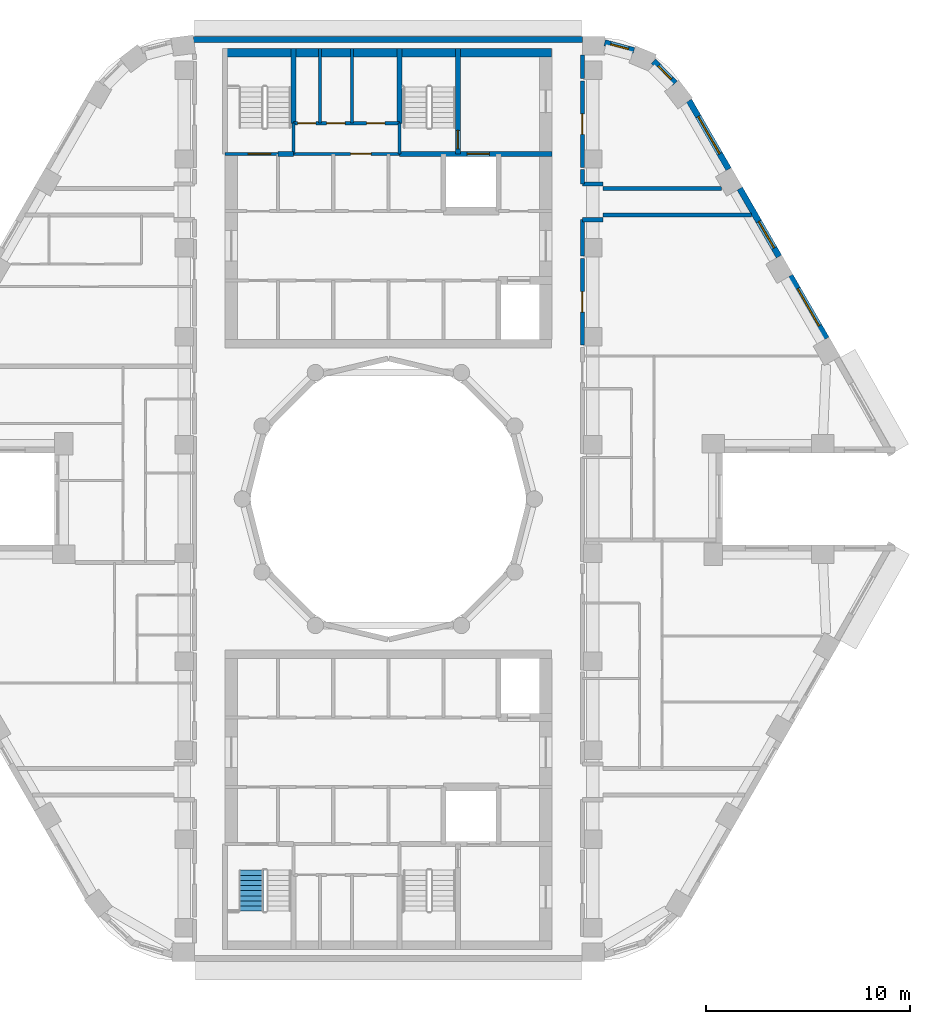
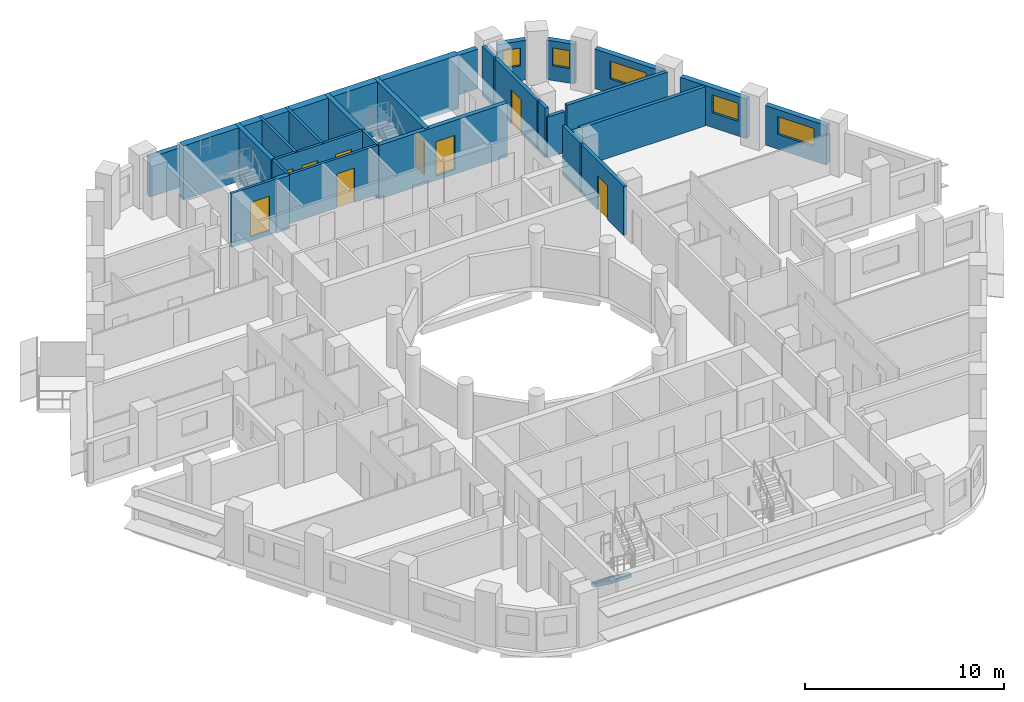
# One storey, part 8 of 13: 28 walls, 9 doors, 5 windows, 1 stair flight, 14 openings, 1 element without a shape of its own.
"""IFC4 building model written with IfcOpenShell, lengths in metres."""

from ifc_helpers import new_model, si_unit, direction, frame, frame_2d, origin, place, context, subcontext, project, spatial, polyline, rectangle, outline, extrude, material, layer, layer_set, type_object, element, fill, aggregate, save


model = new_model("IFC4")

# Units and contexts
model_context = context("Model", 3, precision=1e-05, world=origin(), true_north=direction((0.0, 1.0)))
body_context = subcontext(model_context, "Body", "Model", "MODEL_VIEW")
ifc_project = project(units=[si_unit("LENGTHUNIT", "METRE"), si_unit("AREAUNIT", "SQUARE_METRE"), si_unit("VOLUMEUNIT", "CUBIC_METRE"), si_unit("PLANEANGLEUNIT", "RADIAN"), si_unit("MASSUNIT", "GRAM", prefix="KILO")], contexts=[model_context])

# Site, building, storey
site_placement = place(None, origin())
site = spatial("IfcSite", under=ifc_project, at=site_placement, CompositionType="ELEMENT")
building_placement = place(site_placement, origin())
building = spatial("IfcBuilding", under=site, at=building_placement, Name="Nakaniwa Court", CompositionType="ELEMENT")
storey_placement = place(building_placement, frame((0.0, 0.0, 242.699951171875)))
storey = spatial("IfcBuildingStorey", under=building, at=storey_placement, Name="L63", CompositionType="ELEMENT", Elevation=242.699951171875)

# Wall, opening, door
ifc_material_1 = material(Name="Acoustic double stud partition")
ifc_layer_1 = layer(ifc_material_1, 0.199951171875)
ifc_layer_set_1 = layer_set([ifc_layer_1], Name="Acoustic double stud partition")
wall_type_1 = type_object("IfcWallType", Name="Acoustic double stud partition 200", PredefinedType="PARTITIONING", material=ifc_layer_set_1)
wall_1_placement = place(storey_placement, frame((89.5, 91.77294921875, 0.0), z_axis=(0.0, 0.0, 1.0), x_axis=(0.0, -1.0, 0.0)))
wall_1 = element("IfcWall", 1, at=wall_1_placement, inside=storey, type_object=wall_type_1, Name="Partition PW-068", PredefinedType="PARTITIONING", context=body_context, shape_type="SweptSolid", body=[
    extrude(rectangle(XDim=4.23583984375, YDim=0.199951171875, at=frame_2d((2.117919921875, 0.0))), origin(), (0.0, 0.0, 1.0), 3.025146484375),
])
opening_1_placement = place(wall_1_placement, frame((1.617919921875, 0.0, 0.0)))
opening_1 = element("IfcOpeningElement", 2, at=opening_1_placement, cuts=wall_1, Name="Opening D-02-02", PredefinedType="OPENING", context=body_context, shape_type="SweptSolid", body=[
    extrude(rectangle(XDim=1.0, YDim=2.10009765625, at=frame_2d((0.5, 1.050048828125))), frame((0.0, 0.10986328125, 0.0), z_axis=(0.0, -1.0, 0.0), x_axis=(1.0, 0.0, 0.0)), (0.0, 0.0, 1.0), 0.219970703125),
])
ifc_material_2 = material(Name="Solid core timber door set, black veneer", Category="wood")
door_type_1 = type_object("IfcDoorType", Name="Internal door 1000", OperationType="NOTDEFINED", PredefinedType="DOOR", material=ifc_material_2)
door_1_placement = place(opening_1_placement, origin())
door_1 = element("IfcDoor", 3, at=door_1_placement, inside=storey, type_object=door_type_1, Name="Door D-02-02 L63-044", OperationType="SINGLE_SWING_LEFT", OverallHeight=2.10009765625, OverallWidth=1.0, PredefinedType="DOOR", context=body_context, shape_type="SweptSolid", body=[
    extrude(rectangle(XDim=1.0, YDim=2.10009765625, at=frame_2d((0.5, 1.050048828125))), frame((0.0, 0.02490234375, 0.0), z_axis=(0.0, -1.0, 0.0), x_axis=(1.0, 0.0, 0.0)), (0.0, 0.0, 1.0), 0.050048828125),
])
fill(opening_1, door_1)

# Walls
wall_2_placement = place(storey_placement, frame((89.5, 91.886962890625, 0.0), z_axis=(0.0, 0.0, 1.0), x_axis=(0.0, 1.0, 0.0)))
element("IfcWall", 4, at=wall_2_placement, inside=storey, type_object=wall_type_1, Name="Partition PW-069", PredefinedType="PARTITIONING", context=body_context, shape_type="SweptSolid", body=[
    extrude(rectangle(XDim=1.791015625, YDim=0.199951171875, at=frame_2d((0.8955078125, 0.0))), origin(), (0.0, 0.0, 1.0), 3.025146484375),
])
wall_3_placement = place(storey_placement, frame((89.5, 95.422119140625, 0.0), z_axis=(0.0, 0.0, 1.0), x_axis=(0.0, 1.0, 0.0)))
element("IfcWall", 5, at=wall_3_placement, inside=storey, type_object=wall_type_1, Name="Partition PW-070", PredefinedType="PARTITIONING", context=body_context, shape_type="SweptSolid", body=[
    extrude(rectangle(XDim=0.700927734375, YDim=0.199951171875, at=frame_2d((0.3505859375, 0.0))), origin(), (0.0, 0.0, 1.0), 3.025146484375),
])

# Wall, opening, door
wall_4_placement = place(storey_placement, frame((89.5, 100.472900390625, 0.0), z_axis=(0.0, 0.0, 1.0), x_axis=(0.0, -1.0, 0.0)))
wall_4 = element("IfcWall", 6, at=wall_4_placement, inside=storey, type_object=wall_type_1, Name="Partition PW-071", PredefinedType="PARTITIONING", context=body_context, shape_type="SweptSolid", body=[
    extrude(rectangle(XDim=4.23583984375, YDim=0.199951171875, at=frame_2d((2.117919921875, 0.0))), origin(), (0.0, 0.0, 1.0), 3.025146484375),
])
opening_2_placement = place(wall_4_placement, frame((1.617919921875, 0.0, 0.0)))
opening_2 = element("IfcOpeningElement", 7, at=opening_2_placement, cuts=wall_4, Name="Opening D-02-03", PredefinedType="OPENING", context=body_context, shape_type="SweptSolid", body=[
    extrude(rectangle(XDim=1.0, YDim=2.10009765625, at=frame_2d((0.5, 1.050048828125))), frame((0.0, 0.10986328125, 0.0), z_axis=(0.0, -1.0, 0.0), x_axis=(1.0, 0.0, 0.0)), (0.0, 0.0, 1.0), 0.219970703125),
])
door_2_placement = place(opening_2_placement, origin())
door_2 = element("IfcDoor", 8, at=door_2_placement, inside=storey, type_object=door_type_1, Name="Door D-02-03 L63-059", OperationType="SINGLE_SWING_RIGHT", OverallHeight=2.10009765625, OverallWidth=1.0, PredefinedType="DOOR", context=body_context, shape_type="SweptSolid", body=[
    extrude(rectangle(XDim=1.0, YDim=2.10009765625, at=frame_2d((0.5, 1.050048828125))), frame((0.0, 0.02490234375, 0.0), z_axis=(0.0, -1.0, 0.0), x_axis=(1.0, 0.0, 0.0)), (0.0, 0.0, 1.0), 0.050048828125),
])
fill(opening_2, door_2)

# Walls
wall_5_placement = place(storey_placement, frame((89.5, 100.5869140625, 0.0), z_axis=(0.0, 0.0, 1.0), x_axis=(0.0, 1.0, 0.0)))
element("IfcWall", 9, at=wall_5_placement, inside=storey, type_object=wall_type_1, Name="Partition PW-072", PredefinedType="PARTITIONING", context=body_context, shape_type="SweptSolid", body=[
    extrude(rectangle(XDim=1.14599609375, YDim=0.199951171875, at=frame_2d((0.572998046875, 0.0))), origin(), (0.0, 0.0, 1.0), 3.025146484375),
])
wall_6_placement = place(storey_placement, frame((90.5, 93.89990234375, 0.0), z_axis=(0.0, 0.0, 1.0), x_axis=(1.0, 0.0, 0.0)))
element("IfcWall", 10, at=wall_6_placement, inside=storey, type_object=wall_type_1, Name="Partition PW-074", PredefinedType="PARTITIONING", context=body_context, shape_type="SweptSolid", body=[
    extrude(rectangle(XDim=7.282470703125, YDim=0.199951171875, at=frame_2d((3.64111328125, 0.0))), origin(), (0.0, 0.0, 1.0), 2.405029296875),
])
for number, where, z_axis, x_axis, name in (
    (11, (89.5, 93.675048828125, 0.0), (0.0, 0.0, 1.0), (1.0, 0.0, 0.0), "Partition PW-076"),
    (12, (89.5, 95.425048828125, 0.0), (0.0, 0.0, 1.0), (1.0, 0.0, 0.0), "Partition PW-078"),
):
    element("IfcWall", number, at=place(storey_placement, frame(where, z_axis=z_axis, x_axis=x_axis)), inside=storey, type_object=wall_type_1, Name=name, PredefinedType="PARTITIONING", context=body_context, shape_type="SweptSolid", body=[
        extrude(rectangle(XDim=1.0, YDim=0.199951171875, at=frame_2d((0.5, 0.0))), origin(), (0.0, 0.0, 1.0), 2.505126953125),
    ])
wall_7_placement = place(storey_placement, frame((90.5, 95.199951171875, 0.0), z_axis=(0.0, 0.0, 1.0), x_axis=(1.0, 0.0, 0.0)))
element("IfcWall", 13, at=wall_7_placement, inside=storey, type_object=wall_type_1, Name="Partition PW-080", PredefinedType="PARTITIONING", context=body_context, shape_type="SweptSolid", body=[
    extrude(rectangle(XDim=5.81884765625, YDim=0.199951171875, at=frame_2d((2.909423828125, 0.0))), origin(), (0.0, 0.0, 1.0), 3.025146484375),
])

# Wall, opening, window
ifc_material_3 = material(Name="Charcoal ceramic cladding")
ifc_layer_2 = layer(ifc_material_3, 0.02, Name="Ceramic cladding")
ifc_material_4 = material(Name="Ventilated air cavity")
ifc_layer_3 = layer(ifc_material_4, 0.04, ventilated=True, Name="Ventilated cavity")
ifc_material_5 = material(Name="Mineral wool insulation")
ifc_layer_4 = layer(ifc_material_5, 0.1, Name="Insulation")
ifc_material_6 = material(Name="Cement bonded sheathing board")
ifc_layer_5 = layer(ifc_material_6, 0.012, Name="Sheathing")
ifc_material_7 = material(Name="Cold-formed galvanised stud frame with mineral wool infill")
ifc_layer_6 = layer(ifc_material_7, 0.1, Name="Stud frame")
ifc_material_8 = material(Name="Fire-rated gypsum plasterboard lining")
ifc_layer_7 = layer(ifc_material_8, 0.028, Name="Lining")
ifc_layer_set_2 = layer_set([ifc_layer_2, ifc_layer_3, ifc_layer_4, ifc_layer_5, ifc_layer_6, ifc_layer_7], Name="Charcoal ceramic faced external wall system")
wall_type_2 = type_object("IfcWallType", Name="Black ceramic faced external wall 300", PredefinedType="SOLIDWALL", material=ifc_layer_set_2)
wall_8_placement = place(storey_placement, frame((101.44580078125, 87.85498046875, 0.0), z_axis=(0.0, 0.0, 1.0), x_axis=(-0.500010404316, 0.866019396766, 0.0)))
wall_8 = element("IfcWall", 14, at=wall_8_placement, inside=storey, type_object=wall_type_2, Name="L63 external wall 03", PredefinedType="SOLIDWALL", context=body_context, shape_type="SweptSolid", body=[
    extrude(rectangle(XDim=3.54736328125, YDim=0.300048828125, at=frame_2d((1.773681640625, 0.0))), origin(), (0.0, 0.0, 1.0), 2.425048828125),
])
opening_3_placement = place(wall_8_placement, frame((0.723388671875, 0.0, 0.89990234375)))
opening_3 = element("IfcOpeningElement", 15, at=opening_3_placement, cuts=wall_8, Name="Opening W7.04", PredefinedType="OPENING", context=body_context, shape_type="SweptSolid", body=[
    extrude(rectangle(XDim=2.10009765625, YDim=1.10009765625, at=frame_2d((1.050048828125, 0.550048828125))), frame((0.0, 0.159912109375, 0.0), z_axis=(0.0, -1.0, 0.0), x_axis=(1.0, 0.0, 0.0)), (0.0, 0.0, 1.0), 0.320068359375),
])
ifc_material_9 = material(Name="Black anodised aluminium frame with dark low-E laminated double glazing", Category="aluminium")
window_type_1 = type_object("IfcWindowType", Name="Dark glass window 2100x1100 sill 900", PartitioningType="SINGLE_PANEL", PredefinedType="WINDOW", material=ifc_material_9)
window_1_placement = place(opening_3_placement, origin())
window_1 = element("IfcWindow", 16, at=window_1_placement, inside=storey, type_object=window_type_1, Name="L63 habitable room window 03-0", OverallHeight=1.10009765625, OverallWidth=2.10009765625, PartitioningType="SINGLE_PANEL", PredefinedType="WINDOW", context=body_context, shape_type="SweptSolid", body=[
    extrude(rectangle(XDim=2.10009765625, YDim=1.10009765625, at=frame_2d((1.050048828125, 0.550048828125))), frame((0.0, 0.030029296875, 0.0), z_axis=(0.0, -1.0, 0.0), x_axis=(1.0, 0.0, 0.0)), (0.0, 0.0, 1.0), 0.06005859375),
])
fill(opening_3, window_1)

wall_9_placement = place(storey_placement, frame((99.126220703125, 91.87255859375, 0.0), z_axis=(0.0, 0.0, 1.0), x_axis=(-0.499984490703, 0.866034357896, 0.0)))
wall_9 = element("IfcWall", 17, at=wall_9_placement, inside=storey, type_object=wall_type_2, Name="L63 external wall 04", PredefinedType="SOLIDWALL", context=body_context, shape_type="SweptSolid", body=[
    extrude(rectangle(XDim=3.84423828125, YDim=0.300048828125, at=frame_2d((1.922119140625, 0.0))), origin(), (0.0, 0.0, 1.0), 2.425048828125),
])
opening_4_placement = place(wall_9_placement, frame((0.481689453125, 0.0, 0.89990234375)))
opening_4 = element("IfcOpeningElement", 18, at=opening_4_placement, cuts=wall_9, Name="Opening W5.05", PredefinedType="OPENING", context=body_context, shape_type="SweptSolid", body=[
    extrude(rectangle(XDim=1.5, YDim=1.10009765625, at=frame_2d((0.75, 0.550048828125))), frame((0.0, 0.159912109375, 0.0), z_axis=(0.0, -1.0, 0.0), x_axis=(1.0, 0.0, 0.0)), (0.0, 0.0, 1.0), 0.320068359375),
])
window_type_2 = type_object("IfcWindowType", Name="Dark glass window 1500x1100 sill 900", PartitioningType="SINGLE_PANEL", PredefinedType="WINDOW", material=ifc_material_9)
window_2_placement = place(opening_4_placement, origin())
window_2 = element("IfcWindow", 19, at=window_2_placement, inside=storey, type_object=window_type_2, Name="L63 habitable room window 04-0", OverallHeight=1.10009765625, OverallWidth=1.5, PartitioningType="SINGLE_PANEL", PredefinedType="WINDOW", context=body_context, shape_type="SweptSolid", body=[
    extrude(rectangle(XDim=1.5, YDim=1.10009765625, at=frame_2d((0.75, 0.550048828125))), frame((0.0, 0.030029296875, 0.0), z_axis=(0.0, -1.0, 0.0), x_axis=(1.0, 0.0, 0.0)), (0.0, 0.0, 1.0), 0.06005859375),
])
fill(opening_4, window_2)

wall_10_placement = place(storey_placement, frame((96.657958984375, 96.1474609375, 0.0), z_axis=(0.0, 0.0, 1.0), x_axis=(-0.500011218404, 0.866018926739, 0.0)))
wall_10 = element("IfcWall", 20, at=wall_10_placement, inside=storey, type_object=wall_type_2, Name="L63 external wall 05", PredefinedType="SOLIDWALL", context=body_context, shape_type="SweptSolid", body=[
    extrude(rectangle(XDim=3.87890625, YDim=0.300048828125, at=frame_2d((1.939453125, 0.0))), origin(), (0.0, 0.0, 1.0), 2.425048828125),
])
opening_5_placement = place(wall_10_placement, frame((0.878173828125, 0.0, 0.89990234375)))
opening_5 = element("IfcOpeningElement", 21, at=opening_5_placement, cuts=wall_10, Name="Opening W7.06", PredefinedType="OPENING", context=body_context, shape_type="SweptSolid", body=[
    extrude(rectangle(XDim=2.10009765625, YDim=1.10009765625, at=frame_2d((1.050048828125, 0.550048828125))), frame((0.0, 0.159912109375, 0.0), z_axis=(0.0, -1.0, 0.0), x_axis=(1.0, 0.0, 0.0)), (0.0, 0.0, 1.0), 0.320068359375),
])
window_3_placement = place(opening_5_placement, origin())
window_3 = element("IfcWindow", 22, at=window_3_placement, inside=storey, type_object=window_type_1, Name="L63 habitable room window 05-0", OverallHeight=1.10009765625, OverallWidth=2.10009765625, PartitioningType="SINGLE_PANEL", PredefinedType="WINDOW", context=body_context, shape_type="SweptSolid", body=[
    extrude(rectangle(XDim=2.10009765625, YDim=1.10009765625, at=frame_2d((1.050048828125, 0.550048828125))), frame((0.0, 0.030029296875, 0.0), z_axis=(0.0, -1.0, 0.0), x_axis=(1.0, 0.0, 0.0)), (0.0, 0.0, 1.0), 0.06005859375),
])
fill(opening_5, window_3)

wall_11_placement = place(storey_placement, frame((94.0341796875, 100.3583984375, 0.0), z_axis=(0.0, 0.0, 1.0), x_axis=(-0.698675602211, 0.71543860874, 0.0)))
wall_11 = element("IfcWall", 23, at=wall_11_placement, inside=storey, type_object=wall_type_2, Name="L63 external wall 06", PredefinedType="SOLIDWALL", context=body_context, shape_type="SweptSolid", body=[
    extrude(rectangle(XDim=1.5, YDim=0.300048828125, at=frame_2d((0.75, 0.0))), origin(), (0.0, 0.0, 1.0), 2.425048828125),
])
opening_6_placement = place(wall_11_placement, frame((0.27587890625, 0.0, 0.89990234375)))
opening_6 = element("IfcOpeningElement", 24, at=opening_6_placement, cuts=wall_11, Name="Opening W9.07", PredefinedType="OPENING", context=body_context, shape_type="SweptSolid", body=[
    extrude(rectangle(XDim=0.89990234375, YDim=1.10009765625, at=frame_2d((0.449951171875, 0.550048828125))), frame((0.0, 0.159912109375, 0.0), z_axis=(0.0, -1.0, 0.0), x_axis=(1.0, 0.0, 0.0)), (0.0, 0.0, 1.0), 0.320068359375),
])
window_type_3 = type_object("IfcWindowType", Name="Dark glass window 900x1100 sill 900", PartitioningType="SINGLE_PANEL", PredefinedType="WINDOW", material=ifc_material_9)
window_4_placement = place(opening_6_placement, origin())
window_4 = element("IfcWindow", 25, at=window_4_placement, inside=storey, type_object=window_type_3, Name="L63 habitable room window 06-0", OverallHeight=1.10009765625, OverallWidth=0.89990234375, PartitioningType="SINGLE_PANEL", PredefinedType="WINDOW", context=body_context, shape_type="SweptSolid", body=[
    extrude(rectangle(XDim=0.89990234375, YDim=1.10009765625, at=frame_2d((0.449951171875, 0.550048828125))), frame((0.0, 0.030029296875, 0.0), z_axis=(0.0, -1.0, 0.0), x_axis=(1.0, 0.0, 0.0)), (0.0, 0.0, 1.0), 0.06005859375),
])
fill(opening_6, window_4)

wall_12_placement = place(storey_placement, frame((92.02099609375, 101.956298828125, 0.0), z_axis=(0.0, 0.0, 1.0), x_axis=(-0.965392564919, 0.260801065181, 0.0)))
wall_12 = element("IfcWall", 26, at=wall_12_placement, inside=storey, type_object=wall_type_2, Name="L63 external wall 07", PredefinedType="SOLIDWALL", context=body_context, shape_type="SweptSolid", body=[
    extrude(rectangle(XDim=1.48095703125, YDim=0.300048828125, at=frame_2d((0.740478515625, 0.0))), origin(), (0.0, 0.0, 1.0), 2.425048828125),
])
opening_7_placement = place(wall_12_placement, frame((0.280029296875, 0.0, 0.89990234375)))
opening_7 = element("IfcOpeningElement", 27, at=opening_7_placement, cuts=wall_12, Name="Opening W9.08", PredefinedType="OPENING", context=body_context, shape_type="SweptSolid", body=[
    extrude(rectangle(XDim=0.89990234375, YDim=1.10009765625, at=frame_2d((0.449951171875, 0.550048828125))), frame((0.0, 0.159912109375, 0.0), z_axis=(0.0, -1.0, 0.0), x_axis=(1.0, 0.0, 0.0)), (0.0, 0.0, 1.0), 0.320068359375),
])
window_5_placement = place(opening_7_placement, origin())
window_5 = element("IfcWindow", 28, at=window_5_placement, inside=storey, type_object=window_type_3, Name="L63 habitable room window 07-0", OverallHeight=1.10009765625, OverallWidth=0.89990234375, PartitioningType="SINGLE_PANEL", PredefinedType="WINDOW", context=body_context, shape_type="SweptSolid", body=[
    extrude(rectangle(XDim=0.89990234375, YDim=1.10009765625, at=frame_2d((0.449951171875, 0.550048828125))), frame((0.0, 0.030029296875, 0.0), z_axis=(0.0, -1.0, 0.0), x_axis=(1.0, 0.0, 0.0)), (0.0, 0.0, 1.0), 0.06005859375),
])
fill(opening_7, window_5)

# Wall
wall_13_placement = place(storey_placement, frame((89.499267578125, 102.5, 0.0), z_axis=(0.0, 0.0, 1.0), x_axis=(-1.0, 0.0, 0.0)))
element("IfcWall", 29, at=wall_13_placement, inside=storey, type_object=wall_type_2, Name="L63 external wall 08", PredefinedType="SOLIDWALL", context=body_context, shape_type="SweptSolid", body=[
    extrude(rectangle(XDim=19.033447265625, YDim=0.300048828125, at=frame_2d((9.5166015625, 0.0))), origin(), (0.0, 0.0, 1.0), 2.425048828125),
])

# Wall, opening, door
ifc_material_10 = material(Name="Blockwork partition", Category="masonry")
ifc_layer_8 = layer(ifc_material_10, 0.14990234375)
ifc_layer_set_3 = layer_set([ifc_layer_8], Name="Blockwork partition")
wall_type_3 = type_object("IfcWallType", Name="Blockwork partition 150", PredefinedType="PARTITIONING", material=ifc_layer_set_3)
wall_14_placement = place(storey_placement, frame((75.346923828125, 96.89990234375, 0.0), z_axis=(0.0, 0.0, 1.0), x_axis=(1.0, 0.0, 0.0)))
wall_14 = element("IfcWall", 30, at=wall_14_placement, inside=storey, type_object=wall_type_3, Name="Partition PW-020", PredefinedType="PARTITIONING", context=body_context, shape_type="SweptSolid", body=[
    extrude(rectangle(XDim=5.2060546875, YDim=0.14990234375, at=frame_2d((2.60302734375, 0.0))), origin(), (0.0, 0.0, 1.0), 3.025146484375),
])
opening_8_placement = place(wall_14_placement, frame((2.802978515625, 0.0, 0.0)))
opening_8 = element("IfcOpeningElement", 31, at=opening_8_placement, cuts=wall_14, Name="Opening D-23-01", PredefinedType="OPENING", context=body_context, shape_type="SweptSolid", body=[
    extrude(rectangle(XDim=1.0, YDim=2.10009765625, at=frame_2d((0.5, 1.050048828125))), frame((0.0, 0.0849609375, 0.0), z_axis=(0.0, -1.0, 0.0), x_axis=(1.0, 0.0, 0.0)), (0.0, 0.0, 1.0), 0.169921875),
])
ifc_material_11 = material(Name="Fire rated steel door set", Category="steel")
door_type_2 = type_object("IfcDoorType", Name="Service room door 1000", OperationType="NOTDEFINED", PredefinedType="DOOR", material=ifc_material_11)
door_3_placement = place(opening_8_placement, origin())
door_3 = element("IfcDoor", 32, at=door_3_placement, inside=storey, type_object=door_type_2, Name="Door D-23-01 L63-011", OperationType="SINGLE_SWING_RIGHT", OverallHeight=2.10009765625, OverallWidth=1.0, PredefinedType="DOOR", context=body_context, shape_type="SweptSolid", body=[
    extrude(rectangle(XDim=1.0, YDim=2.10009765625, at=frame_2d((0.5, 1.050048828125))), frame((0.0, 0.02490234375, 0.0), z_axis=(0.0, -1.0, 0.0), x_axis=(1.0, 0.0, 0.0)), (0.0, 0.0, 1.0), 0.050048828125),
])
fill(opening_8, door_3)

# Wall, openings, doors
wall_15_placement = place(storey_placement, frame((75.35009765625, 98.39990234375, 0.0), z_axis=(0.0, 0.0, 1.0), x_axis=(1.0, 0.0, 0.0)))
wall_15 = element("IfcWall", 33, at=wall_15_placement, inside=storey, type_object=wall_type_3, Name="Partition PW-028", PredefinedType="PARTITIONING", context=body_context, shape_type="SweptSolid", body=[
    extrude(rectangle(XDim=5.199951171875, YDim=0.14990234375, at=frame_2d((2.60009765625, 0.0))), origin(), (0.0, 0.0, 1.0), 3.025146484375),
])
opening_9_placement = place(wall_15_placement, frame((0.199951171875, 0.0, 0.0)))
opening_9 = element("IfcOpeningElement", 34, at=opening_9_placement, cuts=wall_15, Name="Opening D-05-09", PredefinedType="OPENING", context=body_context, shape_type="SweptSolid", body=[
    extrude(rectangle(XDim=0.89990234375, YDim=2.10009765625, at=frame_2d((0.449951171875, 1.050048828125))), frame((0.0, 0.0849609375, 0.0), z_axis=(0.0, -1.0, 0.0), x_axis=(1.0, 0.0, 0.0)), (0.0, 0.0, 1.0), 0.169921875),
])
opening_10_placement = place(wall_15_placement, frame((1.6298828125, 0.0, 0.0)))
opening_10 = element("IfcOpeningElement", 35, at=opening_10_placement, cuts=wall_15, Name="Opening D-05-10", PredefinedType="OPENING", context=body_context, shape_type="SweptSolid", body=[
    extrude(rectangle(XDim=0.89990234375, YDim=2.10009765625, at=frame_2d((0.449951171875, 1.050048828125))), frame((0.0, 0.0849609375, 0.0), z_axis=(0.0, -1.0, 0.0), x_axis=(1.0, 0.0, 0.0)), (0.0, 0.0, 1.0), 0.169921875),
])
opening_11_placement = place(wall_15_placement, frame((3.580078125, 0.0, 0.0)))
opening_11 = element("IfcOpeningElement", 36, at=opening_11_placement, cuts=wall_15, Name="Opening D-05-11", PredefinedType="OPENING", context=body_context, shape_type="SweptSolid", body=[
    extrude(rectangle(XDim=0.89990234375, YDim=2.10009765625, at=frame_2d((0.449951171875, 1.050048828125))), frame((0.0, 0.0849609375, 0.0), z_axis=(0.0, -1.0, 0.0), x_axis=(1.0, 0.0, 0.0)), (0.0, 0.0, 1.0), 0.169921875),
])
door_type_3 = type_object("IfcDoorType", Name="Service room door 900", OperationType="NOTDEFINED", PredefinedType="DOOR", material=ifc_material_11)
door_4_placement = place(opening_9_placement, origin())
door_4 = element("IfcDoor", 37, at=door_4_placement, inside=storey, type_object=door_type_3, Name="Door D-05-09 L63-012", OperationType="SINGLE_SWING_LEFT", OverallHeight=2.10009765625, OverallWidth=0.89990234375, PredefinedType="DOOR", context=body_context, shape_type="SweptSolid", body=[
    extrude(rectangle(XDim=0.89990234375, YDim=2.10009765625, at=frame_2d((0.449951171875, 1.050048828125))), frame((0.0, 0.02490234375, 0.0), z_axis=(0.0, -1.0, 0.0), x_axis=(1.0, 0.0, 0.0)), (0.0, 0.0, 1.0), 0.050048828125),
])
fill(opening_9, door_4)
door_5_placement = place(opening_10_placement, origin())
door_5 = element("IfcDoor", 38, at=door_5_placement, inside=storey, type_object=door_type_3, Name="Door D-05-10 L63-013", OperationType="SINGLE_SWING_RIGHT", OverallHeight=2.10009765625, OverallWidth=0.89990234375, PredefinedType="DOOR", context=body_context, shape_type="SweptSolid", body=[
    extrude(rectangle(XDim=0.89990234375, YDim=2.10009765625, at=frame_2d((0.449951171875, 1.050048828125))), frame((0.0, 0.02490234375, 0.0), z_axis=(0.0, -1.0, 0.0), x_axis=(1.0, 0.0, 0.0)), (0.0, 0.0, 1.0), 0.050048828125),
])
fill(opening_10, door_5)
door_6_placement = place(opening_11_placement, origin())
door_6 = element("IfcDoor", 39, at=door_6_placement, inside=storey, type_object=door_type_3, Name="Door D-05-11 L63-014", OperationType="SINGLE_SWING_LEFT", OverallHeight=2.10009765625, OverallWidth=0.89990234375, PredefinedType="DOOR", context=body_context, shape_type="SweptSolid", body=[
    extrude(rectangle(XDim=0.89990234375, YDim=2.10009765625, at=frame_2d((0.449951171875, 1.050048828125))), frame((0.0, 0.02490234375, 0.0), z_axis=(0.0, -1.0, 0.0), x_axis=(1.0, 0.0, 0.0)), (0.0, 0.0, 1.0), 0.050048828125),
])
fill(opening_11, door_6)

# Walls
for number, where, z_axis, x_axis, name in (
    (40, (76.64990234375, 98.39990234375, 0.0), (0.0, 0.0, 1.0), (0.0, 1.0, 0.0), "Partition PW-029"),
    (41, (78.2099609375, 98.39990234375, 0.0), (0.0, 0.0, 1.0), (0.0, 1.0, 0.0), "Partition PW-030"),
):
    element("IfcWall", number, at=place(storey_placement, frame(where, z_axis=z_axis, x_axis=x_axis)), inside=storey, type_object=wall_type_3, Name=name, PredefinedType="PARTITIONING", context=body_context, shape_type="SweptSolid", body=[
        extrude(rectangle(XDim=3.650146484375, YDim=0.14990234375, at=frame_2d((1.8251953125, 0.0))), origin(), (0.0, 0.0, 1.0), 3.025146484375),
    ])

# Wall, opening, door
ifc_material_12 = material(Name="Concrete C80/100", Category="concrete")
ifc_layer_9 = layer(ifc_material_12, 0.14990234375)
ifc_layer_set_4 = layer_set([ifc_layer_9], Name="Concrete C80/100")
wall_type_4 = type_object("IfcWallType", Name="Concrete core wall 150 C80", PredefinedType="SHEAR", material=ifc_layer_set_4)
wall_16_placement = place(storey_placement, frame((74.60009765625, 96.89990234375, -0.27490234375), z_axis=(0.0, 0.0, 1.0), x_axis=(-1.0, 0.0, 0.0)))
wall_16 = element("IfcWall", 42, at=wall_16_placement, inside=storey, type_object=wall_type_4, Name="Core wall SW-17", PredefinedType="SHEAR", context=body_context, shape_type="SweptSolid", body=[
    extrude(rectangle(XDim=2.60009765625, YDim=0.14990234375, at=frame_2d((1.300048828125, 0.0))), origin(), (0.0, 0.0, 1.0), 3.300048828125),
])
opening_12_placement = place(wall_16_placement, frame((0.3701171875, 0.0, 0.27490234375)))
opening_12 = element("IfcOpeningElement", 43, at=opening_12_placement, cuts=wall_16, Name="Opening D-09-01", PredefinedType="OPENING", context=body_context, shape_type="SweptSolid", body=[
    extrude(rectangle(XDim=1.10009765625, YDim=2.10009765625, at=frame_2d((0.550048828125, 1.050048828125))), frame((0.0, 0.0849609375, 0.0), z_axis=(0.0, -1.0, 0.0), x_axis=(1.0, 0.0, 0.0)), (0.0, 0.0, 1.0), 0.169921875),
])
door_type_4 = type_object("IfcDoorType", Name="Stair door 1100", OperationType="NOTDEFINED", PredefinedType="DOOR", material=ifc_material_11)
door_7_placement = place(opening_12_placement, origin())
door_7 = element("IfcDoor", 44, at=door_7_placement, inside=storey, type_object=door_type_4, Name="Door D-09-01 L63-015", OperationType="SINGLE_SWING_LEFT", OverallHeight=2.10009765625, OverallWidth=1.10009765625, PredefinedType="DOOR", context=body_context, shape_type="SweptSolid", body=[
    extrude(rectangle(XDim=1.10009765625, YDim=2.10009765625, at=frame_2d((0.550048828125, 1.050048828125))), frame((0.0, 0.02490234375, 0.0), z_axis=(0.0, -1.0, 0.0), x_axis=(1.0, 0.0, 0.0)), (0.0, 0.0, 1.0), 0.050048828125),
])
fill(opening_12, door_7)

# Walls
for number, where, z_axis, x_axis, name in (
    (45, (75.35009765625, 96.89990234375, -0.27490234375), (0.0, 0.0, 1.0), (0.0, 1.0, 0.0), "Core wall SW-22"),
    (46, (80.550048828125, 96.89990234375, -0.27490234375), (0.0, 0.0, 1.0), (0.0, 1.0, 0.0), "Core wall SW-26"),
):
    element("IfcWall", number, at=place(storey_placement, frame(where, z_axis=z_axis, x_axis=x_axis)), inside=storey, type_object=wall_type_4, Name=name, PredefinedType="SHEAR", context=body_context, shape_type="SweptSolid", body=[
        extrude(rectangle(XDim=1.503173828125, YDim=0.14990234375, at=frame_2d((0.75146484375, 0.0))), origin(), (0.0, 0.0, 1.0), 3.300048828125),
    ])
ifc_layer_10 = layer(ifc_material_12, 0.39990234375)
ifc_layer_set_5 = layer_set([ifc_layer_10], Name="Concrete C80/100")
wall_type_5 = type_object("IfcWallType", Name="Concrete core wall 400 C80", PredefinedType="SHEAR", material=ifc_layer_set_5)
wall_17_placement = place(storey_placement, frame((72.00390625, 101.85009765625, -0.27490234375), z_axis=(0.0, 0.0, 1.0), x_axis=(1.0, 0.0, 0.0)))
element("IfcWall", 47, at=wall_17_placement, inside=storey, type_object=wall_type_5, Name="Core wall SW-131", PredefinedType="SHEAR", context=body_context, shape_type="SweptSolid", body=[
    extrude(rectangle(XDim=15.9921875, YDim=0.39990234375, at=frame_2d((7.99609375, 0.0))), origin(), (0.0, 0.0, 1.0), 3.300048828125),
])
ifc_layer_11 = layer(ifc_material_12, 0.25)
ifc_layer_set_6 = layer_set([ifc_layer_11], Name="Concrete C80/100")
wall_type_6 = type_object("IfcWallType", Name="Concrete shaft wall 250 C80", PredefinedType="SHEAR", material=ifc_layer_set_6)
wall_18_placement = place(storey_placement, frame((74.60009765625, 96.89990234375, -0.27490234375), z_axis=(0.0, 0.0, 1.0), x_axis=(1.0, 0.0, 0.0)))
element("IfcWall", 48, at=wall_18_placement, inside=storey, type_object=wall_type_6, Name="Core wall SW-18", PredefinedType="SHEAR", context=body_context, shape_type="SweptSolid", body=[
    extrude(rectangle(XDim=0.7529296875, YDim=0.25, at=frame_2d((0.37646484375, 0.0))), origin(), (0.0, 0.0, 1.0), 3.300048828125),
])

# Wall, opening, door
wall_19_placement = place(storey_placement, frame((80.547119140625, 96.89990234375, -0.27490234375), z_axis=(0.0, 0.0, 1.0), x_axis=(1.0, 0.0, 0.0)))
wall_19 = element("IfcWall", 49, at=wall_19_placement, inside=storey, type_object=wall_type_6, Name="Core wall SW-19", PredefinedType="SHEAR", context=body_context, shape_type="SweptSolid", body=[
    extrude(rectangle(XDim=7.452880859375, YDim=0.25, at=frame_2d((3.7265625, 0.0))), origin(), (0.0, 0.0, 1.0), 3.300048828125),
])
opening_13_placement = place(wall_19_placement, frame((3.302001953125, 0.0, 0.27490234375)))
opening_13 = element("IfcOpeningElement", 50, at=opening_13_placement, cuts=wall_19, Name="Opening LD02", PredefinedType="OPENING", context=body_context, shape_type="SweptSolid", body=[
    extrude(rectangle(XDim=1.10009765625, YDim=2.10009765625, at=frame_2d((0.550048828125, 1.050048828125))), frame((0.0, 0.135009765625, 0.0), z_axis=(0.0, -1.0, 0.0), x_axis=(1.0, 0.0, 0.0)), (0.0, 0.0, 1.0), 0.27001953125),
])
ifc_material_13 = material(Name="Stainless steel sliding lift landing door", Category="steel")
door_type_5 = type_object("IfcDoorType", Name="Lift landing door 1100", OperationType="NOTDEFINED", PredefinedType="DOOR", material=ifc_material_13)
door_8_placement = place(opening_13_placement, origin())
door_8 = element("IfcDoor", 51, at=door_8_placement, inside=storey, type_object=door_type_5, Name="Lift landing door LD02 L63-002", OperationType="SLIDING_TO_LEFT", OverallHeight=2.10009765625, OverallWidth=1.10009765625, PredefinedType="DOOR", context=body_context, shape_type="SweptSolid", body=[
    extrude(rectangle(XDim=1.10009765625, YDim=2.10009765625, at=frame_2d((0.550048828125, 1.050048828125))), frame((0.0, 0.02490234375, 0.0), z_axis=(0.0, -1.0, 0.0), x_axis=(1.0, 0.0, 0.0)), (0.0, 0.0, 1.0), 0.050048828125),
])
fill(opening_13, door_8)

# Wall
wall_20_placement = place(storey_placement, frame((75.35009765625, 98.39697265625, -0.27490234375), z_axis=(0.0, 0.0, 1.0), x_axis=(0.0, 1.0, 0.0)))
element("IfcWall", 52, at=wall_20_placement, inside=storey, type_object=wall_type_6, Name="Core wall SW-23", PredefinedType="SHEAR", context=body_context, shape_type="SweptSolid", body=[
    extrude(rectangle(XDim=3.653076171875, YDim=0.25, at=frame_2d((1.82666015625, 0.0))), origin(), (0.0, 0.0, 1.0), 3.300048828125),
])

# Wall, opening, door
wall_21_placement = place(storey_placement, frame((83.39990234375, 102.050048828125, -0.27490234375), z_axis=(0.0, 0.0, 1.0), x_axis=(0.0, -1.0, 0.0)))
wall_21 = element("IfcWall", 53, at=wall_21_placement, inside=storey, type_object=wall_type_6, Name="Core wall SW-25", PredefinedType="SHEAR", context=body_context, shape_type="SweptSolid", body=[
    extrude(rectangle(XDim=5.150146484375, YDim=0.25, at=frame_2d((2.5751953125, 0.0))), origin(), (0.0, 0.0, 1.0), 3.300048828125),
])
opening_14_placement = place(wall_21_placement, frame((4.0, 0.0, 0.27490234375)))
opening_14 = element("IfcOpeningElement", 54, at=opening_14_placement, cuts=wall_21, Name="Opening D-11-01", PredefinedType="OPENING", context=body_context, shape_type="SweptSolid", body=[
    extrude(rectangle(XDim=0.89990234375, YDim=2.10009765625, at=frame_2d((0.449951171875, 1.050048828125))), frame((0.0, 0.135009765625, 0.0), z_axis=(0.0, -1.0, 0.0), x_axis=(1.0, 0.0, 0.0)), (0.0, 0.0, 1.0), 0.27001953125),
])
door_type_6 = type_object("IfcDoorType", Name="Stair door 900", OperationType="NOTDEFINED", PredefinedType="DOOR", material=ifc_material_11)
door_9_placement = place(opening_14_placement, origin())
door_9 = element("IfcDoor", 55, at=door_9_placement, inside=storey, type_object=door_type_6, Name="Door D-11-01 L63-016", OperationType="SINGLE_SWING_RIGHT", OverallHeight=2.10009765625, OverallWidth=0.89990234375, PredefinedType="DOOR", context=body_context, shape_type="SweptSolid", body=[
    extrude(rectangle(XDim=0.89990234375, YDim=2.10009765625, at=frame_2d((0.449951171875, 1.050048828125))), frame((0.0, 0.02490234375, 0.0), z_axis=(0.0, -1.0, 0.0), x_axis=(1.0, 0.0, 0.0)), (0.0, 0.0, 1.0), 0.050048828125),
])
fill(opening_14, door_9)

# Wall
wall_22_placement = place(storey_placement, frame((80.550048828125, 98.39697265625, -0.27490234375), z_axis=(0.0, 0.0, 1.0), x_axis=(0.0, 1.0, 0.0)))
element("IfcWall", 56, at=wall_22_placement, inside=storey, type_object=wall_type_6, Name="Core wall SW-27", PredefinedType="SHEAR", context=body_context, shape_type="SweptSolid", body=[
    extrude(rectangle(XDim=3.653076171875, YDim=0.25, at=frame_2d((1.82666015625, 0.0))), origin(), (0.0, 0.0, 1.0), 3.300048828125),
])

# Stair, stair flight
stair_type = type_object("IfcStairType", Name="Dog leg stair 1200 wide 18 risers", PredefinedType="HALF_TURN_STAIR", material=ifc_material_12)
stair_placement = place(storey_placement, origin())
stair = element("IfcStair", 57, at=stair_placement, inside=storey, type_object=stair_type, Name="L63 Stair ST3", PredefinedType="HALF_TURN_STAIR")
stair_flight_type = type_object("IfcStairFlightType", Name="Stair flight 1200 wide 9 risers", PredefinedType="STRAIGHT", material=ifc_material_12)
stair_flight_placement = place(storey_placement, frame((73.27490234375, 61.824951171875, 0.0), z_axis=(0.0, 0.0, 1.0), x_axis=(0.0, -1.0, 0.0)))
stair_flight = element("IfcStairFlight", 58, at=stair_flight_placement, type_object=stair_flight_type, Name="ST3 flight 1", NumberOfRisers=9, NumberOfTreads=8, PredefinedType="STRAIGHT", RiserHeight=0.183333333, TreadLength=0.25, context=body_context, shape_type="SweptSolid", body=[
    extrude(outline(polyline([(0.0, 0.0), (0.0, 0.026123046875), (0.0, 0.052490234375), (0.0, 0.07861328125), (0.0, 0.104736328125), (0.0, 0.130859375), (0.0, 0.1572265625), (0.0, 0.183349609375), (0.25, 0.183349609375), (0.25, 0.36669921875), (0.5, 0.36669921875), (0.5, 0.550048828125), (0.75, 0.550048828125), (0.75, 0.7333984375), (1.0, 0.7333984375), (1.0, 0.916748046875), (1.25, 0.916748046875), (1.25, 1.10009765625), (1.5, 1.10009765625), (1.5, 1.283447265625), (1.75, 1.283447265625), (1.75, 1.466552734375), (2.0, 1.466552734375), (2.0, 1.64990234375), (2.0, 1.59716796875), (2.0, 1.54443359375), (2.0, 1.49169921875), (2.0, 1.43896484375), (2.0, 1.38623046875), (2.0, 1.33349609375), (2.0, 1.28076171875), (0.25341796875, 0.0), (0.0, 0.0)])), frame((0.0, 0.60009765625, 0.0), z_axis=(0.0, -1.0, 0.0), x_axis=(1.0, 0.0, 0.0)), (0.0, 0.0, 1.0), 1.199951171875),
])
aggregate(stair, [stair_flight])

save(model, "model.ifc")
